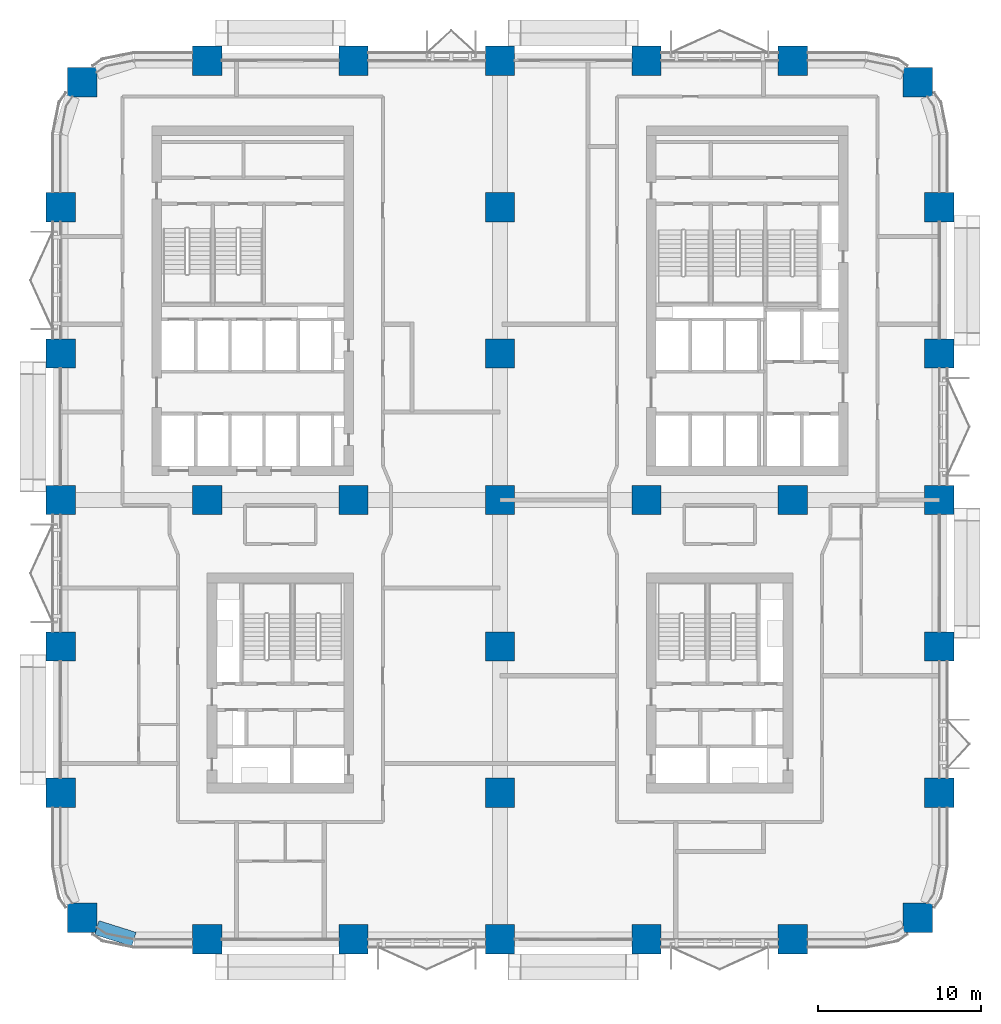
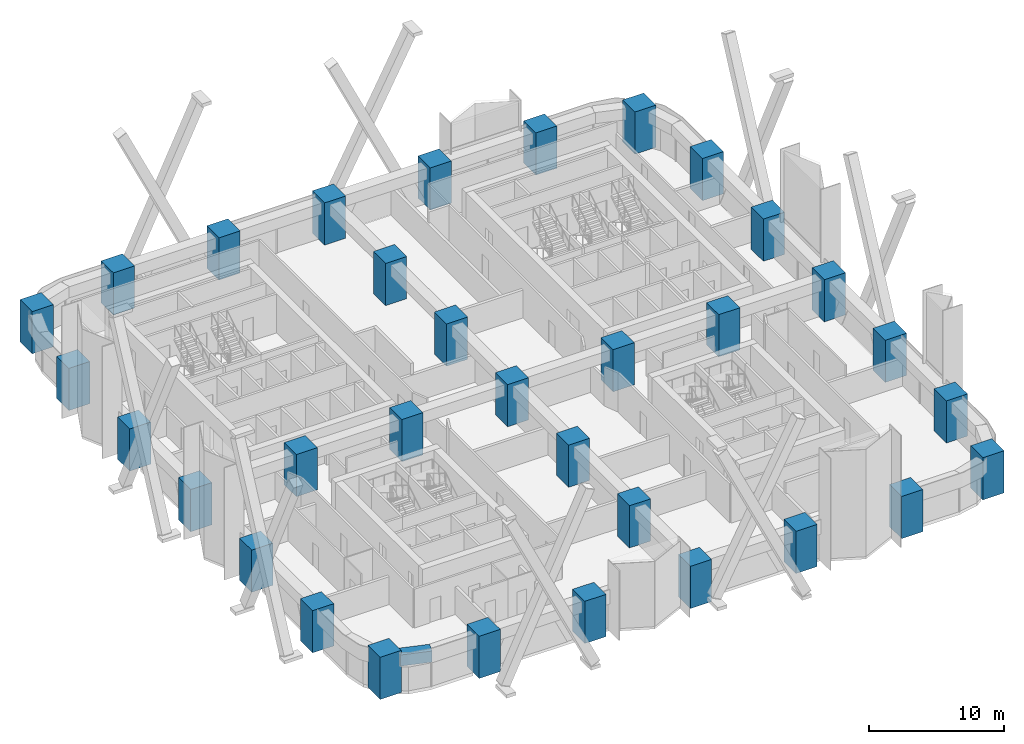
# One storey, part 1 of 26: 33 columns, 1 beam.
"""IFC4 building model written with IfcOpenShell, lengths in metres."""

from ifc_helpers import new_model, si_unit, direction, frame, origin, origin_2d, place, context, subcontext, project, spatial, rectangle, extrude, material, material_profile, profile_set, type_object, element, save


model = new_model("IFC4")

# Units and contexts
model_context = context("Model", 3, precision=1e-05, world=origin(), true_north=direction((0.0, 1.0)))
body_context = subcontext(model_context, "Body", "Model", "MODEL_VIEW")
ifc_project = project(units=[si_unit("LENGTHUNIT", "METRE"), si_unit("AREAUNIT", "SQUARE_METRE"), si_unit("VOLUMEUNIT", "CUBIC_METRE"), si_unit("PLANEANGLEUNIT", "RADIAN"), si_unit("MASSUNIT", "GRAM", prefix="KILO")], contexts=[model_context])

# Site, building, storey
site_placement = place(None, origin())
site = spatial("IfcSite", under=ifc_project, at=site_placement, CompositionType="ELEMENT")
building_placement = place(site_placement, origin())
building = spatial("IfcBuilding", under=site, at=building_placement, Name="Tessera Arch", CompositionType="ELEMENT")
storey_placement = place(building_placement, frame((0.0, 0.0, 31.0)))
storey = spatial("IfcBuildingStorey", under=building, at=storey_placement, Name="L05", CompositionType="ELEMENT", Elevation=31.0)

# Columns
ifc_material_1 = material(Name="Concrete C80/95", Category="concrete")
ifc_material_profile_1 = material_profile(ifc_material_1, rectangle(XDim=1.800048828125, YDim=1.800048828125, at=origin_2d()), Name="RC column 1800 x 1800 Concrete C80/95")
ifc_profile_set_1 = profile_set([ifc_material_profile_1], Name="Concrete C80/95")
column_type = type_object("IfcColumnType", Name="RC column 1800 x 1800 Concrete C80/95", PredefinedType="COLUMN", material=ifc_profile_set_1)
for number, where, z_axis, x_axis, name in (
    (1, (1.318115234375, 1.318115234375, 0.0), (0.0, 0.0, 1.0), (1.0, 0.0, 0.0), "Column C1A L05"),
    (2, (0.0, 9.0, 0.0), (0.0, 0.0, 1.0), (1.0, 0.0, 0.0), "Column C1B L05"),
    (3, (0.0, 18.0, 0.0), (0.0, 0.0, 1.0), (1.0, 0.0, 0.0), "Column C1C L05"),
    (4, (0.0, 27.0, 0.0), (0.0, 0.0, 1.0), (1.0, 0.0, 0.0), "Column C1D L05"),
    (5, (0.0, 36.0, 0.0), (0.0, 0.0, 1.0), (1.0, 0.0, 0.0), "Column C1E L05"),
    (6, (0.0, 45.0, 0.0), (0.0, 0.0, 1.0), (1.0, 0.0, 0.0), "Column C1F L05"),
    (7, (1.318115234375, 52.681884765625, 0.0), (0.0, 0.0, 1.0), (1.0, 0.0, 0.0), "Column C1G L05"),
    (8, (9.0, 0.0, 0.0), (0.0, 0.0, 1.0), (1.0, 0.0, 0.0), "Column C2A L05"),
    (9, (9.0, 27.0, 0.0), (0.0, 0.0, 1.0), (1.0, 0.0, 0.0), "Column C2D L05"),
    (10, (9.0, 54.0, 0.0), (0.0, 0.0, 1.0), (1.0, 0.0, 0.0), "Column C2G L05"),
    (11, (18.0, 0.0, 0.0), (0.0, 0.0, 1.0), (1.0, 0.0, 0.0), "Column C3A L05"),
    (12, (18.0, 27.0, 0.0), (0.0, 0.0, 1.0), (1.0, 0.0, 0.0), "Column C3D L05"),
    (13, (18.0, 54.0, 0.0), (0.0, 0.0, 1.0), (1.0, 0.0, 0.0), "Column C3G L05"),
    (14, (27.0, 0.0, 0.0), (0.0, 0.0, 1.0), (1.0, 0.0, 0.0), "Column C4A L05"),
    (15, (27.0, 9.0, 0.0), (0.0, 0.0, 1.0), (1.0, 0.0, 0.0), "Column C4B L05"),
    (16, (27.0, 18.0, 0.0), (0.0, 0.0, 1.0), (1.0, 0.0, 0.0), "Column C4C L05"),
    (17, (27.0, 27.0, 0.0), (0.0, 0.0, 1.0), (1.0, 0.0, 0.0), "Column C4D L05"),
    (18, (27.0, 36.0, 0.0), (0.0, 0.0, 1.0), (1.0, 0.0, 0.0), "Column C4E L05"),
    (19, (27.0, 45.0, 0.0), (0.0, 0.0, 1.0), (1.0, 0.0, 0.0), "Column C4F L05"),
    (20, (27.0, 54.0, 0.0), (0.0, 0.0, 1.0), (1.0, 0.0, 0.0), "Column C4G L05"),
    (21, (36.0, 0.0, 0.0), (0.0, 0.0, 1.0), (1.0, 0.0, 0.0), "Column C5A L05"),
    (22, (36.0, 27.0, 0.0), (0.0, 0.0, 1.0), (1.0, 0.0, 0.0), "Column C5D L05"),
    (23, (36.0, 54.0, 0.0), (0.0, 0.0, 1.0), (1.0, 0.0, 0.0), "Column C5G L05"),
    (24, (45.0, 0.0, 0.0), (0.0, 0.0, 1.0), (1.0, 0.0, 0.0), "Column C6A L05"),
    (25, (45.0, 27.0, 0.0), (0.0, 0.0, 1.0), (1.0, 0.0, 0.0), "Column C6D L05"),
    (26, (45.0, 54.0, 0.0), (0.0, 0.0, 1.0), (1.0, 0.0, 0.0), "Column C6G L05"),
    (27, (52.681884765625, 1.318115234375, 0.0), (0.0, 0.0, 1.0), (1.0, 0.0, 0.0), "Column C7A L05"),
    (28, (54.0, 9.0, 0.0), (0.0, 0.0, 1.0), (1.0, 0.0, 0.0), "Column C7B L05"),
    (29, (54.0, 18.0, 0.0), (0.0, 0.0, 1.0), (1.0, 0.0, 0.0), "Column C7C L05"),
    (30, (54.0, 27.0, 0.0), (0.0, 0.0, 1.0), (1.0, 0.0, 0.0), "Column C7D L05"),
    (31, (54.0, 36.0, 0.0), (0.0, 0.0, 1.0), (1.0, 0.0, 0.0), "Column C7E L05"),
    (32, (54.0, 45.0, 0.0), (0.0, 0.0, 1.0), (1.0, 0.0, 0.0), "Column C7F L05"),
    (33, (52.681884765625, 52.681884765625, 0.0), (0.0, 0.0, 1.0), (1.0, 0.0, 0.0), "Column C7G L05"),
):
    element("IfcColumn", number, at=place(storey_placement, frame(where, z_axis=z_axis, x_axis=x_axis)), inside=storey, type_object=column_type, Name=name, PredefinedType="COLUMN", context=body_context, shape_type="SweptSolid", body=[
        extrude(rectangle(XDim=1.800048828125, YDim=1.800048828125, at=origin_2d()), origin(), (0.0, 0.0, 1.0), 3.800048828125),
    ])

# Beam
ifc_material_2 = material(Name="Concrete C80/95", Category="concrete")
ifc_material_profile_2 = material_profile(ifc_material_2, rectangle(XDim=0.89990234375, YDim=1.0, at=origin_2d()), Name="RC spandrel beam 900 x 1000 Concrete C80/95")
ifc_profile_set_2 = profile_set([ifc_material_profile_2], Name="Concrete C80/95")
beam_type = type_object("IfcBeamType", Name="RC spandrel beam 900 x 1000 Concrete C80/95", PredefinedType="BEAM", material=ifc_profile_set_2)
beam_placement = place(storey_placement, frame((2.218017578125, 0.716796875, 3.0), z_axis=(0.954041251279, -0.299675309057, 0.0), x_axis=(0.299675309057, 0.954041251279, 0.0)))
element("IfcBeam", 34, at=beam_placement, inside=storey, type_object=beam_type, Name="Spandrel beam L05 S0.0/5.1", PredefinedType="BEAM", context=body_context, shape_type="SweptSolid", body=[
    extrude(rectangle(XDim=0.89990234375, YDim=1.0, at=origin_2d()), origin(), (0.0, 0.0, 1.0), 2.391845703125),
])

save(model, "model.ifc")
